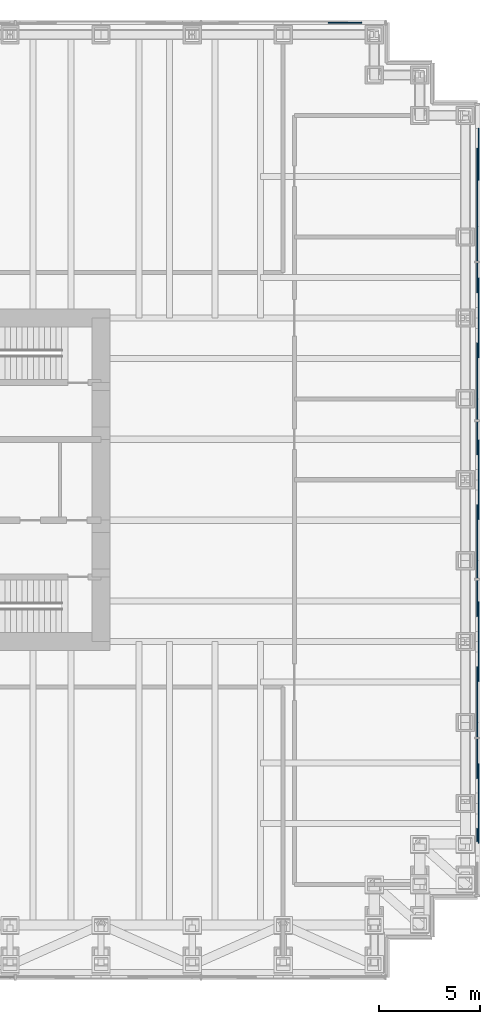
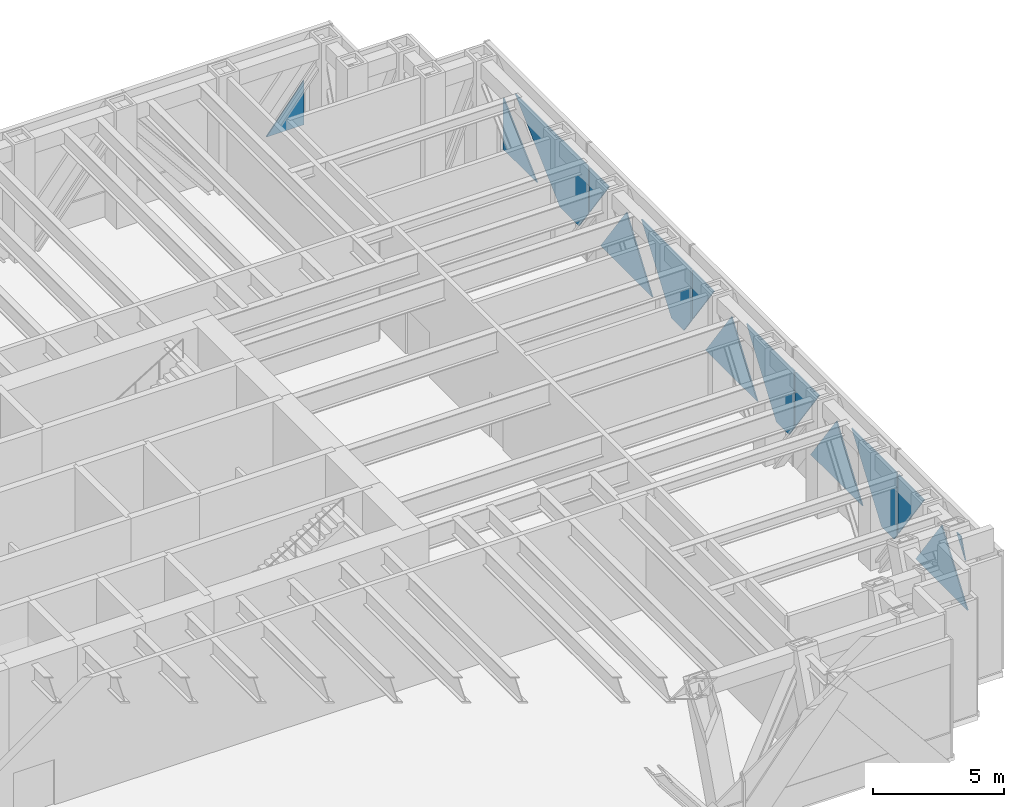
# One storey, part 12 of 16: 15 plates, 2 elements without a shape of their own.
"""IFC4 building model written with IfcOpenShell, lengths in metres."""

import ifcopenshell
import ifcopenshell.guid

model = None  # the IFC model being written
_history = None  # IfcOwnerHistory: only IFC2X3 demands one
_inside = {}  # id of a spatial element -> (the spatial element, [elements in it])
_under = {}  # id of a project, library or spatial element -> (it, [spatial elements below it])
_declared = {}  # id of a project -> (the project, [libraries it declares])
_typed = {}  # id of a type object -> (the type object, [elements of that type])
_made_of = {}  # id of a material, layer set ... -> (it, [elements and type objects made of it])


def new_model(schema):
    """Start an empty IFC model of exactly this schema.

    Asked for "IFC4X3", IfcOpenShell would pick the latest addendum, in which some entities
    have other attributes; the version numbers below select the first issue.
    IFC2X3 requires an IfcOwnerHistory on every rooted entity: one is made here for all.
    """
    global model, _history
    if schema == "IFC4X3":
        model = ifcopenshell.file(schema_version=(4, 3, 0, 0))
    else:
        model = ifcopenshell.file(schema=schema)
    _inside.clear()
    _under.clear()
    _declared.clear()
    _typed.clear()
    _made_of.clear()
    _history = None
    if model.schema == "IFC2X3":
        org = make("IfcOrganization", Name="unknown")
        user = make(
            "IfcPersonAndOrganization",
            ThePerson=make("IfcPerson", FamilyName="unknown"),
            TheOrganization=org,
        )
        app = make(
            "IfcApplication",
            ApplicationDeveloper=org,
            Version="unknown",
            ApplicationFullName="unknown",
            ApplicationIdentifier="unknown",
        )
        _history = make(
            "IfcOwnerHistory",
            OwningUser=user,
            OwningApplication=app,
            ChangeAction="ADDED",
            CreationDate=0,
        )
    return model


def make(cls, **values):
    """One entity of the class cls with the attributes given. An attribute that is None is left unset."""
    return model.create_entity(
        cls, **{name: value for name, value in values.items() if value is not None}
    )


def rooted(cls, **values):
    """An entity with a GlobalId (a new one), such as an element, a storey or a relation."""
    return make(cls, GlobalId=ifcopenshell.guid.new(), OwnerHistory=_history, **values)


def si_unit(unit_type, name, prefix=None):
    """IfcSIUnit, for example si_unit("LENGTHUNIT", "METRE", prefix="MILLI")."""
    return make("IfcSIUnit", UnitType=unit_type, Prefix=prefix, Name=name)


def assignment(units):
    """IfcUnitAssignment: the units of a project."""
    return None if units is None else make("IfcUnitAssignment", Units=units)


def point(xyz):
    """IfcCartesianPoint."""
    return None if xyz is None else make("IfcCartesianPoint", Coordinates=xyz)


def direction(xyz):
    """IfcDirection."""
    return None if xyz is None else make("IfcDirection", DirectionRatios=xyz)


def frame(location, z_axis=None, x_axis=None):
    """IfcAxis2Placement3D, a coordinate frame: its origin and axes. An axis left out is left unset."""
    return make(
        "IfcAxis2Placement3D",
        Location=point(location),
        Axis=direction(z_axis),
        RefDirection=direction(x_axis),
    )


def origin():
    """The frame at (0, 0, 0) with its axes left unset."""
    return frame((0.0, 0.0, 0.0))


def place(relative_to, where):
    """IfcLocalPlacement: puts the frame where relative to a parent placement (None: the world)."""
    return make(
        "IfcLocalPlacement", PlacementRelTo=relative_to, RelativePlacement=where
    )


def context(
    kind, dimensions, precision=None, world=None, true_north=None, identifier=None
):
    """IfcGeometricRepresentationContext, for example the 3D "Model" context."""
    return make(
        "IfcGeometricRepresentationContext",
        ContextIdentifier=identifier,
        ContextType=kind,
        CoordinateSpaceDimension=dimensions,
        Precision=precision,
        WorldCoordinateSystem=world,
        TrueNorth=true_north,
    )


def subcontext(parent, identifier, kind, view, scale=None):
    """IfcGeometricRepresentationSubContext, for example "Body" below "Model"."""
    return make(
        "IfcGeometricRepresentationSubContext",
        ContextIdentifier=identifier,
        ContextType=kind,
        ParentContext=parent,
        TargetScale=scale,
        TargetView=view,
    )


def project(units=None, contexts=None):
    """IfcProject with its units and contexts."""
    return rooted(
        "IfcProject",
        Name="project",
        RepresentationContexts=contexts,
        UnitsInContext=assignment(units),
    )


def spatial(cls, under=None, at=None, **own):
    """A site, building, storey or space (cls), placed at a placement, below another one or the project."""
    s = rooted(cls, ObjectPlacement=at, **own)
    if under is not None:
        _under.setdefault(under.id(), (under, []))[1].append(s)
    return s


def polyline(points):
    """IfcPolyline through the points."""
    return make("IfcPolyline", Points=[point(p) for p in points])


def outline(outer, holes=None, kind="AREA"):
    """IfcArbitraryClosedProfileDef: a profile drawn as a closed curve; with holes, ...WithVoids."""
    if holes is None:
        return make("IfcArbitraryClosedProfileDef", ProfileType=kind, OuterCurve=outer)
    return make(
        "IfcArbitraryProfileDefWithVoids",
        ProfileType=kind,
        OuterCurve=outer,
        InnerCurves=holes,
    )


def extrude(swept, where, along, depth):
    """IfcExtrudedAreaSolid: the profile swept, set in the frame where, extruded along a direction by depth."""
    return make(
        "IfcExtrudedAreaSolid",
        SweptArea=swept,
        Position=where,
        ExtrudedDirection=direction(along),
        Depth=depth,
    )


def shape(context_of_items, identifier, shape_type, items):
    """IfcShapeRepresentation: the items that make up one representation, for example the "Body"."""
    return make(
        "IfcShapeRepresentation",
        ContextOfItems=context_of_items,
        RepresentationIdentifier=identifier,
        RepresentationType=shape_type,
        Items=items,
    )


def material(Name=None, Category=None):
    """IfcMaterial."""
    return make("IfcMaterial", Name=Name, Category=Category)


def layer(
    of_material, thickness, ventilated=None, Name=None, Category=None, Priority=None
):
    """IfcMaterialLayer: one layer of a wall or slab, of a material (None: an air gap)."""
    return make(
        "IfcMaterialLayer",
        Material=of_material,
        LayerThickness=thickness,
        IsVentilated=ventilated,
        Name=Name,
        Category=Category,
        Priority=Priority,
    )


def layer_set(layers, Name=None):
    """IfcMaterialLayerSet."""
    return make("IfcMaterialLayerSet", MaterialLayers=layers, LayerSetName=Name)


def made_of(thing, what):
    """Note that an element or type object is made of a material, layer set ...; save() writes the relation."""
    if what is not None:
        _made_of.setdefault(what.id(), (what, []))[1].append(thing)
    return thing


def type_object(cls, material=None, **own):
    """A type object (cls), such as IfcWallType, which elements share."""
    return made_of(rooted(cls, **own), material)


def element(
    cls,
    number,
    at=None,
    inside=None,
    cuts=None,
    type_object=None,
    material=None,
    context=None,
    identifier="Body",
    shape_type=None,
    held_by="IfcProductDefinitionShape",
    body=None,
    shapes=None,
    **own,
):
    """One element of the class cls, such as IfcWall. Its Tag is "e" and its number.

    at: its placement. inside: the storey or other place that contains it. cuts: it is an
    opening in that element (IfcRelVoidsElement). A single representation is given by context,
    identifier, shape_type and body (its items); several are given by shapes. held_by: the class
    of the entity that holds the representations. save() writes the other relations.
    """
    e = rooted(cls, Tag="e%d" % number, ObjectPlacement=at, **own)
    if body is not None:
        shapes = [shape(context, identifier, shape_type, body)]
    if shapes is not None:
        e.Representation = make(held_by, Representations=shapes)
    if inside is not None:
        _inside.setdefault(inside.id(), (inside, []))[1].append(e)
    if cuts is not None:
        rooted(
            "IfcRelVoidsElement", RelatingBuildingElement=cuts, RelatedOpeningElement=e
        )
    if type_object is not None:
        _typed.setdefault(type_object.id(), (type_object, []))[1].append(e)
    return made_of(e, material)


def aggregate(whole, parts):
    """IfcRelAggregates: a whole, such as a stair, and the parts it consists of."""
    return rooted("IfcRelAggregates", RelatingObject=whole, RelatedObjects=parts)


def save(model, path):
    """Write the relations noted so far, then the file.

    IfcRelAggregates (storeys below a building ...), IfcRelContainedInSpatialStructure (elements
    in a storey), IfcRelDefinesByType, IfcRelAssociatesMaterial and IfcRelDeclares: one each for
    every whole, place, type object, material and project.
    """
    for whole, parts in _under.values():
        aggregate(whole, parts)
    for where, things in _inside.values():
        rooted(
            "IfcRelContainedInSpatialStructure",
            RelatedElements=things,
            RelatingStructure=where,
        )
    for kind, things in _typed.values():
        rooted("IfcRelDefinesByType", RelatedObjects=things, RelatingType=kind)
    for what, things in _made_of.values():
        rooted("IfcRelAssociatesMaterial", RelatedObjects=things, RelatingMaterial=what)
    for by, libraries in _declared.values():
        rooted("IfcRelDeclares", RelatingContext=by, RelatedDefinitions=libraries)
    model.write(path)


model = new_model("IFC4")

# Units and contexts
model_context = context("Model", 3, precision=1e-05, world=origin(), true_north=direction((0.0, 1.0)))
body_context = subcontext(model_context, "Body", "Model", "MODEL_VIEW")
ifc_project = project(units=[si_unit("LENGTHUNIT", "METRE"), si_unit("AREAUNIT", "SQUARE_METRE"), si_unit("VOLUMEUNIT", "CUBIC_METRE"), si_unit("PLANEANGLEUNIT", "RADIAN"), si_unit("MASSUNIT", "GRAM", prefix="KILO")], contexts=[model_context])

# Site, building, storey
site_placement = place(None, origin())
site = spatial("IfcSite", under=ifc_project, at=site_placement, CompositionType="ELEMENT")
building_placement = place(site_placement, origin())
building = spatial("IfcBuilding", under=site, at=building_placement, Name="Rheinbord Bourse Tower", CompositionType="ELEMENT")
storey_placement = place(building_placement, frame((0.0, 0.0, 95.0)))
storey = spatial("IfcBuildingStorey", under=building, at=storey_placement, Name="L20", CompositionType="ELEMENT", Elevation=95.0)

# Curtain wall, plates
ifc_material_1 = material(Name="Dark glass and black aluminium", Category="aluminium")
curtain_wall_type = type_object("IfcCurtainWallType", Name="CW5 DARK GLASS CURTAIN WALL", PredefinedType="USERDEFINED", material=ifc_material_1)
curtain_wall_1_placement = place(storey_placement, origin())
curtain_wall_1 = element("IfcCurtainWall", 1, at=curtain_wall_1_placement, inside=storey, type_object=curtain_wall_type, Name="Curtain wall CW5 E L20", ObjectType="UNITISED CURTAIN WALL", PredefinedType="USERDEFINED")
ifc_material_2 = material(Name="Dark tinted triple insulating glass", Category="glass")
ifc_layer = layer(ifc_material_2, 0.050048828125)
ifc_layer_set = layer_set([ifc_layer], Name="CW5 DARK GLASS PANEL")
plate_type = type_object("IfcPlateType", Name="CW5 DARK GLASS PANEL", PredefinedType="CURTAIN_PANEL", material=ifc_layer_set)
plate_1_placement = place(storey_placement, frame((72.625, 6.76806640625, 4.35009765625), z_axis=(-1.0, 0.0, 0.0), x_axis=(0.0, -0.581892559564, -0.813265669461)))
plate_1 = element("IfcPlate", 2, at=plate_1_placement, type_object=plate_type, Name="CW5 glass facet 2", PredefinedType="CURTAIN_PANEL", context=body_context, shape_type="SweptSolid", body=[
    extrude(outline(polyline([(0.0, 0.0), (1.129150390625, 0.0), (0.19091796875, 0.266845703125), (0.0, 0.0)])), origin(), (0.0, 0.0, 1.0), 0.050048828125),
])
plate_2_placement = place(storey_placement, frame((72.68017578125, 6.02587890625, 1.14990234375), z_axis=(-1.0, 0.0, 0.0), x_axis=(0.0, 0.582034564553, 0.813164045975)))
plate_2 = element("IfcPlate", 3, at=plate_2_placement, type_object=plate_type, Name="CW5 glass facet 3", PredefinedType="CURTAIN_PANEL", context=body_context, shape_type="SweptSolid", body=[
    extrude(outline(polyline([(0.0, 0.0), (3.391845703125, 0.0), (2.298095703125, 3.21044921875), (0.0, 0.0)])), origin(), (0.0, 0.0, 1.0), 0.050048828125),
])
plate_3_placement = place(storey_placement, frame((72.625, 11.199951171875, 4.35009765625), z_axis=(-1.0, 0.0, 0.0), x_axis=(0.0, 0.0, -1.0)))
plate_3 = element("IfcPlate", 4, at=plate_3_placement, type_object=plate_type, Name="CW5 glass facet 4", PredefinedType="CURTAIN_PANEL", context=body_context, shape_type="SweptSolid", body=[
    extrude(outline(polyline([(0.0, 0.0), (2.75, 0.0), (0.0, 1.968017578125), (0.0, 0.0)])), origin(), (0.0, 0.0, 1.0), 0.050048828125),
])
plate_4_placement = place(storey_placement, frame((72.625, 11.52197265625, 1.14990234375), z_axis=(-1.0, 0.0, 0.0), x_axis=(0.0, -0.581904537868, 0.813257098837)))
plate_4 = element("IfcPlate", 5, at=plate_4_placement, type_object=plate_type, Name="CW5 glass facet 1", PredefinedType="CURTAIN_PANEL", context=body_context, shape_type="SweptSolid", body=[
    extrude(outline(polyline([(0.0, 0.0), (0.415771484375, 0.0), (2.743408203125, 1.66552734375), (0.713623046875, 4.502197265625), (-0.556396484375, 0.777587890625), (0.0, 0.0)])), origin(), (0.0, 0.0, 1.0), 0.050048828125),
])
plate_5_placement = place(storey_placement, frame((72.68017578125, 14.02587890625, 1.14990234375), z_axis=(-1.0, 0.0, 0.0), x_axis=(0.0, 0.582034564553, 0.813164045975)))
plate_5 = element("IfcPlate", 6, at=plate_5_placement, type_object=plate_type, Name="CW5 glass facet 2", PredefinedType="CURTAIN_PANEL", context=body_context, shape_type="SweptSolid", body=[
    extrude(outline(polyline([(0.0, 0.0), (3.391845703125, 0.0), (2.298095703125, 3.21044921875), (0.0, 0.0)])), origin(), (0.0, 0.0, 1.0), 0.050048828125),
])
plate_6_placement = place(storey_placement, frame((72.625, 19.0400390625, 4.35009765625), z_axis=(-1.0, 0.0, 0.0), x_axis=(0.0, 0.0, -1.0)))
plate_6 = element("IfcPlate", 7, at=plate_6_placement, type_object=plate_type, Name="CW5 glass facet 3", PredefinedType="CURTAIN_PANEL", context=body_context, shape_type="SweptSolid", body=[
    extrude(outline(polyline([(0.0, 0.0), (2.527099609375, 0.0), (0.0, 1.80810546875), (0.0, 0.0)])), origin(), (0.0, 0.0, 1.0), 0.050048828125),
])
plate_7_placement = place(storey_placement, frame((72.625, 19.52197265625, 1.14990234375), z_axis=(-1.0, 0.0, 0.0), x_axis=(0.0, -0.581639240441, 0.81344685996)))
plate_7 = element("IfcPlate", 8, at=plate_7_placement, type_object=plate_type, Name="CW5 glass facet 1", PredefinedType="CURTAIN_PANEL", context=body_context, shape_type="SweptSolid", body=[
    extrude(outline(polyline([(0.0, 0.0), (0.69091796875, 0.0), (2.8369140625, 1.534423828125), (0.715087890625, 4.501953125), (-0.55615234375, 0.777587890625), (0.0, 0.0)])), origin(), (0.0, 0.0, 1.0), 0.050048828125),
])
plate_8_placement = place(storey_placement, frame((72.68017578125, 22.02587890625, 1.14990234375), z_axis=(-1.0, 0.0, 0.0), x_axis=(0.0, 0.582034564553, 0.813164045975)))
plate_8 = element("IfcPlate", 9, at=plate_8_placement, type_object=plate_type, Name="CW5 glass facet 2", PredefinedType="CURTAIN_PANEL", context=body_context, shape_type="SweptSolid", body=[
    extrude(outline(polyline([(0.0, 0.0), (3.391845703125, 0.0), (2.298095703125, 3.21044921875), (0.0, 0.0)])), origin(), (0.0, 0.0, 1.0), 0.050048828125),
])
plate_9_placement = place(storey_placement, frame((72.625, 26.8798828125, 4.35009765625), z_axis=(-1.0, 0.0, 0.0), x_axis=(0.0, 0.0, -1.0)))
plate_9 = element("IfcPlate", 10, at=plate_9_placement, type_object=plate_type, Name="CW5 glass facet 3", PredefinedType="CURTAIN_PANEL", context=body_context, shape_type="SweptSolid", body=[
    extrude(outline(polyline([(0.0, 0.0), (2.302978515625, 0.0), (0.0, 1.64794921875), (0.0, 0.0)])), origin(), (0.0, 0.0, 1.0), 0.050048828125),
])
plate_10_placement = place(storey_placement, frame((72.625, 27.52197265625, 1.14990234375), z_axis=(-1.0, 0.0, 0.0), x_axis=(0.0, -0.582051110348, 0.813152202815)))
plate_10 = element("IfcPlate", 11, at=plate_10_placement, type_object=plate_type, Name="CW5 glass facet 1", PredefinedType="CURTAIN_PANEL", context=body_context, shape_type="SweptSolid", body=[
    extrude(outline(polyline([(0.0, 0.0), (0.965576171875, 0.0), (2.929443359375, 1.40576171875), (0.712890625, 4.502197265625), (-0.556396484375, 0.77734375), (0.0, 0.0)])), origin(), (0.0, 0.0, 1.0), 0.050048828125),
])
plate_11_placement = place(storey_placement, frame((72.68017578125, 30.02587890625, 1.14990234375), z_axis=(-1.0, 0.0, 0.0), x_axis=(0.0, 0.582034564553, 0.813164045975)))
plate_11 = element("IfcPlate", 12, at=plate_11_placement, type_object=plate_type, Name="CW5 glass facet 2", PredefinedType="CURTAIN_PANEL", context=body_context, shape_type="SweptSolid", body=[
    extrude(outline(polyline([(0.0, 0.0), (3.391845703125, 0.0), (2.298095703125, 3.21044921875), (0.0, 0.0)])), origin(), (0.0, 0.0, 1.0), 0.050048828125),
])
plate_12_placement = place(storey_placement, frame((72.625, 34.719970703125, 4.35009765625), z_axis=(-1.0, 0.0, 0.0), x_axis=(0.0, 0.0, -1.0)))
plate_12 = element("IfcPlate", 13, at=plate_12_placement, type_object=plate_type, Name="CW5 glass facet 3", PredefinedType="CURTAIN_PANEL", context=body_context, shape_type="SweptSolid", body=[
    extrude(outline(polyline([(0.0, 0.0), (2.0791015625, 0.0), (0.0, 1.488037109375), (0.0, 0.0)])), origin(), (0.0, 0.0, 1.0), 0.050048828125),
])
plate_13_placement = place(storey_placement, frame((72.625, 35.52197265625, 1.14990234375), z_axis=(-1.0, 0.0, 0.0), x_axis=(0.0, -0.581870896727, 0.813281168811)))
plate_13 = element("IfcPlate", 14, at=plate_13_placement, type_object=plate_type, Name="CW5 glass facet 1", PredefinedType="CURTAIN_PANEL", context=body_context, shape_type="SweptSolid", body=[
    extrude(outline(polyline([(0.0, 0.0), (1.24072265625, 0.0), (3.022705078125, 1.27490234375), (-0.229736328125, 5.821044921875), (-0.833984375, 1.16552734375), (0.0, 0.0)])), origin(), (0.0, 0.0, 1.0), 0.050048828125),
])
plate_14_placement = place(storey_placement, frame((72.68017578125, 38.802001953125, 1.14990234375), z_axis=(-1.0, 0.0, 0.0), x_axis=(0.0, 0.731600864698, 0.681733213782)))
plate_14 = element("IfcPlate", 15, at=plate_14_placement, type_object=plate_type, Name="CW5 glass facet 2", PredefinedType="CURTAIN_PANEL", context=body_context, shape_type="SweptSolid", body=[
    extrude(outline(polyline([(0.0, 0.0), (3.51025390625, 0.0), (1.87890625, 1.750732421875), (0.0, 0.0)])), origin(), (0.0, 0.0, 1.0), 0.050048828125),
])
aggregate(curtain_wall_1, [plate_1, plate_2, plate_3, plate_4, plate_5, plate_6, plate_7, plate_8, plate_9, plate_10, plate_11, plate_12, plate_13, plate_14])

# Curtain wall, plate
curtain_wall_2_placement = place(storey_placement, origin())
curtain_wall_2 = element("IfcCurtainWall", 16, at=curtain_wall_2_placement, inside=storey, type_object=curtain_wall_type, Name="Curtain wall CW5 N L20", ObjectType="UNITISED CURTAIN WALL", PredefinedType="USERDEFINED")
plate_15_placement = place(storey_placement, frame((66.87109375, 46.625, 1.14990234375), z_axis=(0.0, -1.0, 0.0), x_axis=(0.0, 0.0, 1.0)))
plate_15 = element("IfcPlate", 17, at=plate_15_placement, type_object=plate_type, Name="CW5 glass facet 1", PredefinedType="CURTAIN_PANEL", context=body_context, shape_type="SweptSolid", body=[
    extrude(outline(polyline([(0.0, 0.0), (2.05419921875, 0.0), (0.0, 1.654052734375), (0.0, 0.0)])), origin(), (0.0, 0.0, 1.0), 0.050048828125),
])
aggregate(curtain_wall_2, [plate_15])

save(model, "model.ifc")
